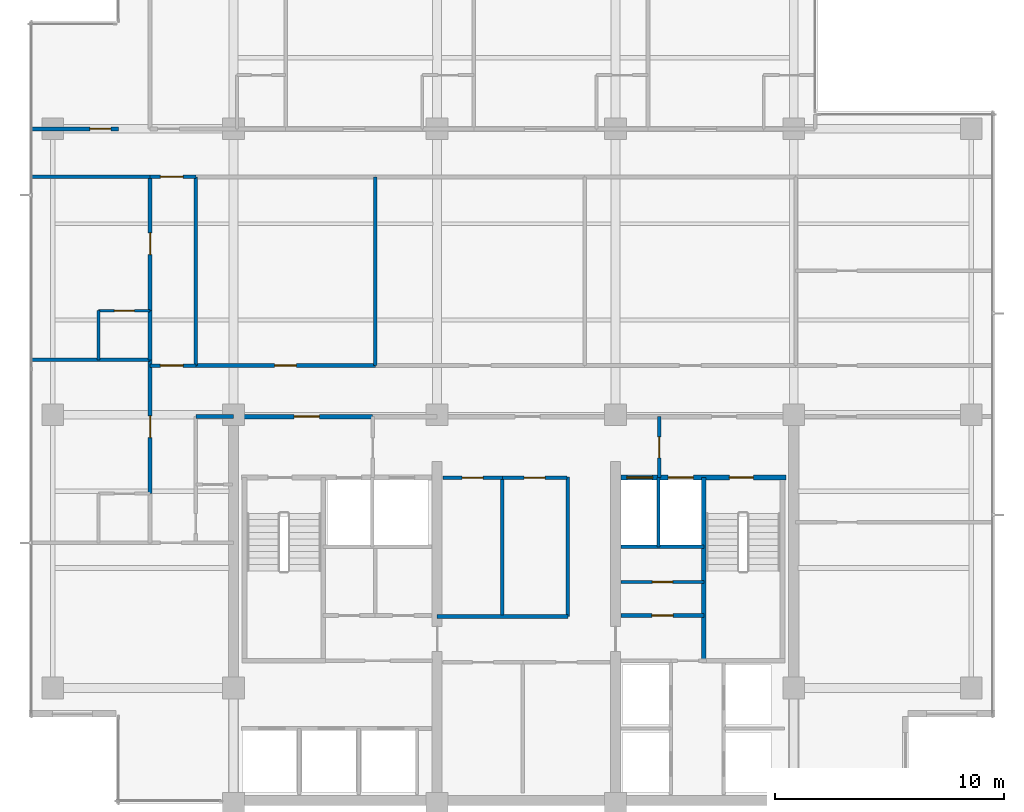
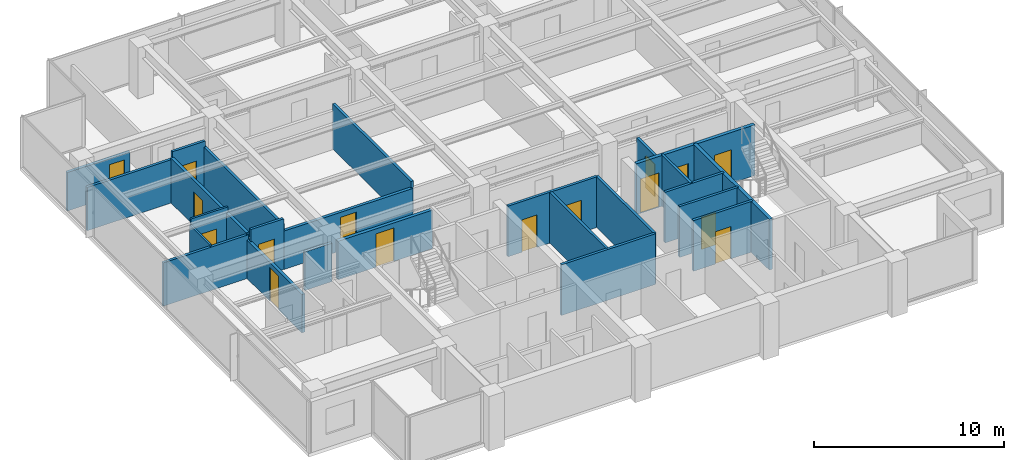
# One storey, part 8 of 15: 27 walls, 16 doors, 16 openings.
"""IFC4 building model written with IfcOpenShell, lengths in metres."""

from ifc_helpers import new_model, si_unit, direction, frame, frame_2d, origin, place, context, subcontext, project, spatial, rectangle, extrude, material, layer, layer_set, type_object, element, fill, save


model = new_model("IFC4")

# Units and contexts
model_context = context("Model", 3, precision=1e-05, world=origin(), true_north=direction((0.0, 1.0)))
body_context = subcontext(model_context, "Body", "Model", "MODEL_VIEW")
ifc_project = project(units=[si_unit("LENGTHUNIT", "METRE"), si_unit("AREAUNIT", "SQUARE_METRE"), si_unit("VOLUMEUNIT", "CUBIC_METRE"), si_unit("PLANEANGLEUNIT", "RADIAN"), si_unit("MASSUNIT", "GRAM", prefix="KILO")], contexts=[model_context])

# Site, building, storey
site_placement = place(None, origin())
site = spatial("IfcSite", under=ifc_project, at=site_placement, CompositionType="ELEMENT")
building_placement = place(site_placement, origin())
building = spatial("IfcBuilding", under=site, at=building_placement, Name="Qalmaran Belvedere Hotel", CompositionType="ELEMENT")
storey_placement = place(building_placement, frame((0.0, 0.0, 214.39990234375)))
storey = spatial("IfcBuildingStorey", under=building, at=storey_placement, Name="L54", CompositionType="ELEMENT", Elevation=214.39990234375)

# Wall, opening, door
ifc_material_1 = material(Name="Moisture-Resistant Gypsum")
ifc_layer_1 = layer(ifc_material_1, 0.1201171875, Name="Moisture-Resistant Gypsum")
ifc_layer_set_1 = layer_set([ifc_layer_1], Name="Moisture-Resistant Gypsum")
wall_type_1 = type_object("IfcWallType", Name="WL-INT-120-BATH", PredefinedType="PARTITIONING", material=ifc_layer_set_1)
wall_1_placement = place(storey_placement, frame((14.39990234375, 25.050048828125, 0.0), z_axis=(0.0, 0.0, 1.0), x_axis=(1.0, 0.0, 0.0)))
wall_1 = element("IfcWall", 1, at=wall_1_placement, inside=storey, type_object=wall_type_1, Name="L54 Partition WL-L54-WBN01", PredefinedType="PARTITIONING", context=body_context, shape_type="SweptSolid", body=[
    extrude(rectangle(XDim=2.25, YDim=0.1201171875, at=frame_2d((1.125, 0.0))), origin(), (0.0, 0.0, 1.0), 3.260009765625),
])
opening_1_placement = place(wall_1_placement, frame((1.56494140625, 0.0, 0.0), z_axis=(0.0, 0.0, 1.0), x_axis=(-1.0, 0.0, 0.0)))
opening_1 = element("IfcOpeningElement", 2, at=opening_1_placement, cuts=wall_1, Name="Opening D-BATH", PredefinedType="OPENING", context=body_context, shape_type="SweptSolid", body=[
    extrude(rectangle(XDim=0.8798828125, YDim=2.080078125, at=frame_2d((0.43994140625, 1.0400390625))), frame((0.0, 0.070068359375, 0.0), z_axis=(0.0, -1.0, 0.0), x_axis=(1.0, 0.0, 0.0)), (0.0, 0.0, 1.0), 0.14013671875),
])
ifc_material_2 = material(Name="Engineered Oak Veneer")
door_type_1 = type_object("IfcDoorType", Name="DR-INT-BATH-880X2080", OperationType="NOTDEFINED", PredefinedType="DOOR", material=ifc_material_2)
door_1_placement = place(opening_1_placement, origin())
door_1 = element("IfcDoor", 3, at=door_1_placement, inside=storey, type_object=door_type_1, Name="L54 W Ensuite Door 02", OperationType="SINGLE_SWING_RIGHT", OverallHeight=2.080078125, OverallWidth=0.8798828125, PredefinedType="DOOR", context=body_context, shape_type="SweptSolid", body=[
    extrude(rectangle(XDim=0.8798828125, YDim=2.080078125, at=frame_2d((0.43994140625, 1.0400390625))), frame((0.0, 0.02490234375, 0.0), z_axis=(0.0, -1.0, 0.0), x_axis=(1.0, 0.0, 0.0)), (0.0, 0.0, 1.0), 0.050048828125),
])
fill(opening_1, door_1)

# Walls
wall_2_placement = place(storey_placement, frame((14.39990234375, 22.89990234375, 0.0), z_axis=(0.0, 0.0, 1.0), x_axis=(0.0, 1.0, 0.0)))
element("IfcWall", 4, at=wall_2_placement, inside=storey, type_object=wall_type_1, Name="L54 Partition WL-L54-WBS01", PredefinedType="PARTITIONING", context=body_context, shape_type="SweptSolid", body=[
    extrude(rectangle(XDim=2.150146484375, YDim=0.1201171875, at=frame_2d((1.0751953125, 0.0))), origin(), (0.0, 0.0, 1.0), 2.88720703125),
])
ifc_material_3 = material(Name="Gypsum Stud Partition")
ifc_layer_2 = layer(ifc_material_3, 0.14990234375, Name="Gypsum Stud Partition")
ifc_layer_set_2 = layer_set([ifc_layer_2], Name="Gypsum Stud Partition")
wall_type_2 = type_object("IfcWallType", Name="WL-INT-150-EI120", PredefinedType="PARTITIONING", material=ifc_layer_set_2)
wall_3_placement = place(storey_placement, frame((38.8798828125, 14.719970703125, 0.0), z_axis=(0.0, 0.0, 1.0), x_axis=(0.0, 1.0, 0.0)))
element("IfcWall", 5, at=wall_3_placement, inside=storey, type_object=wall_type_2, Name="L54 Partition WL-FF2M-L54", PredefinedType="PARTITIONING", context=body_context, shape_type="SweptSolid", body=[
    extrude(rectangle(XDim=3.0400390625, YDim=0.14990234375, at=frame_2d((1.52001953125, 0.0))), origin(), (0.0, 0.0, 1.0), 3.260009765625),
])

# Wall, opening, door
ifc_layer_3 = layer(ifc_material_3, 0.14990234375, Name="Gypsum Stud Partition")
ifc_layer_set_3 = layer_set([ifc_layer_3], Name="Gypsum Stud Partition")
wall_type_3 = type_object("IfcWallType", Name="WL-INT-150-EI60", PredefinedType="PARTITIONING", material=ifc_layer_set_3)
wall_4_placement = place(storey_placement, frame((37.25, 13.18505859375, 0.0), z_axis=(0.0, 0.0, 1.0), x_axis=(1.0, 0.0, 0.0)))
wall_4 = element("IfcWall", 6, at=wall_4_placement, inside=storey, type_object=wall_type_3, Name="L54 Partition WL-L54-KEHM", PredefinedType="PARTITIONING", context=body_context, shape_type="SweptSolid", body=[
    extrude(rectangle(XDim=3.610107421875, YDim=0.14990234375, at=frame_2d((1.80517578125, 0.0))), origin(), (0.0, 0.0, 1.0), 3.260009765625),
])
opening_2_placement = place(wall_4_placement, frame((1.364990234375, 0.0, 0.0)))
opening_2 = element("IfcOpeningElement", 7, at=opening_2_placement, cuts=wall_4, Name="Opening FD60B", PredefinedType="OPENING", context=body_context, shape_type="SweptSolid", body=[
    extrude(rectangle(XDim=0.8798828125, YDim=2.080078125, at=frame_2d((0.43994140625, 1.0400390625))), frame((0.0, 0.0849609375, 0.0), z_axis=(0.0, -1.0, 0.0), x_axis=(1.0, 0.0, 0.0)), (0.0, 0.0, 1.0), 0.169921875),
])
ifc_material_4 = material(Name="Steel S355JR", Category="steel")
door_type_2 = type_object("IfcDoorType", Name="DR-FD60B-880X2080", OperationType="NOTDEFINED", PredefinedType="DOOR", material=ifc_material_4)
door_2_placement = place(opening_2_placement, origin())
door_2 = element("IfcDoor", 8, at=door_2_placement, inside=storey, type_object=door_type_2, Name="L54 Hotel Linen Closet Door", OperationType="SINGLE_SWING_RIGHT", OverallHeight=2.080078125, OverallWidth=0.8798828125, PredefinedType="DOOR", context=body_context, shape_type="SweptSolid", body=[
    extrude(rectangle(XDim=0.8798828125, YDim=2.080078125, at=frame_2d((0.43994140625, 1.0400390625))), frame((0.0, 0.02490234375, 0.0), z_axis=(0.0, -1.0, 0.0), x_axis=(1.0, 0.0, 0.0)), (0.0, 0.0, 1.0), 0.050048828125),
])
fill(opening_2, door_2)

# Wall
wall_5_placement = place(storey_placement, frame((32.056396484375, 11.739990234375, 0.0), z_axis=(0.0, 0.0, 1.0), x_axis=(0.0, 1.0, 0.0)))
element("IfcWall", 9, at=wall_5_placement, inside=storey, type_object=wall_type_3, Name="L54 Partition WL-L54-KPMV1", PredefinedType="PARTITIONING", context=body_context, shape_type="SweptSolid", body=[
    extrude(rectangle(XDim=6.010009765625, YDim=0.14990234375, at=frame_2d((3.0048828125, 0.0))), origin(), (0.0, 0.0, 1.0), 3.260009765625),
])

# Wall, opening, door
wall_6_placement = place(storey_placement, frame((16.64990234375, 22.64990234375, 0.0), z_axis=(0.0, 0.0, 1.0), x_axis=(1.0, 0.0, 0.0)))
wall_6 = element("IfcWall", 10, at=wall_6_placement, inside=storey, type_object=wall_type_3, Name="L54 Partition WL-L54-XCW1", PredefinedType="PARTITIONING", context=body_context, shape_type="SweptSolid", body=[
    extrude(rectangle(XDim=2.0, YDim=0.14990234375, at=frame_2d((1.0, 0.0))), origin(), (0.0, 0.0, 1.0), 3.260009765625),
])
opening_3_placement = place(wall_6_placement, frame((0.449951171875, 0.0, 0.0)))
opening_3 = element("IfcOpeningElement", 11, at=opening_3_placement, cuts=wall_6, Name="Opening FD90B", PredefinedType="OPENING", context=body_context, shape_type="SweptSolid", body=[
    extrude(rectangle(XDim=1.0, YDim=2.14990234375, at=frame_2d((0.5, 1.074951171875))), frame((0.0, 0.0849609375, 0.0), z_axis=(0.0, -1.0, 0.0), x_axis=(1.0, 0.0, 0.0)), (0.0, 0.0, 1.0), 0.169921875),
])
door_type_3 = type_object("IfcDoorType", Name="DR-FD90B-1000X2150", OperationType="NOTDEFINED", PredefinedType="DOOR", material=ifc_material_4)
door_3_placement = place(opening_3_placement, origin())
door_3 = element("IfcDoor", 12, at=door_3_placement, inside=storey, type_object=door_type_3, Name="L54 West Corridor Smoke Door S", OperationType="SINGLE_SWING_LEFT", OverallHeight=2.14990234375, OverallWidth=1.0, PredefinedType="DOOR", context=body_context, shape_type="SweptSolid", body=[
    extrude(rectangle(XDim=1.0, YDim=2.14990234375, at=frame_2d((0.5, 1.074951171875))), frame((0.0, 0.02490234375, 0.0), z_axis=(0.0, -1.0, 0.0), x_axis=(1.0, 0.0, 0.0)), (0.0, 0.0, 1.0), 0.050048828125),
])
fill(opening_3, door_3)

wall_7_placement = place(storey_placement, frame((16.64990234375, 30.89990234375, 0.0), z_axis=(0.0, 0.0, 1.0), x_axis=(1.0, 0.0, 0.0)))
wall_7 = element("IfcWall", 13, at=wall_7_placement, inside=storey, type_object=wall_type_3, Name="L54 Partition WL-L54-XCW2", PredefinedType="PARTITIONING", context=body_context, shape_type="SweptSolid", body=[
    extrude(rectangle(XDim=2.0, YDim=0.14990234375, at=frame_2d((1.0, 0.0))), origin(), (0.0, 0.0, 1.0), 3.260009765625),
])
opening_4_placement = place(wall_7_placement, frame((0.449951171875, 0.0, 0.0)))
opening_4 = element("IfcOpeningElement", 14, at=opening_4_placement, cuts=wall_7, Name="Opening FD90B", PredefinedType="OPENING", context=body_context, shape_type="SweptSolid", body=[
    extrude(rectangle(XDim=1.0, YDim=2.14990234375, at=frame_2d((0.5, 1.074951171875))), frame((0.0, 0.0849609375, 0.0), z_axis=(0.0, -1.0, 0.0), x_axis=(1.0, 0.0, 0.0)), (0.0, 0.0, 1.0), 0.169921875),
])
door_4_placement = place(opening_4_placement, origin())
door_4 = element("IfcDoor", 15, at=door_4_placement, inside=storey, type_object=door_type_3, Name="L54 West Corridor Smoke Door N", OperationType="SINGLE_SWING_RIGHT", OverallHeight=2.14990234375, OverallWidth=1.0, PredefinedType="DOOR", context=body_context, shape_type="SweptSolid", body=[
    extrude(rectangle(XDim=1.0, YDim=2.14990234375, at=frame_2d((0.5, 1.074951171875))), frame((0.0, 0.02490234375, 0.0), z_axis=(0.0, -1.0, 0.0), x_axis=(1.0, 0.0, 0.0)), (0.0, 0.0, 1.0), 0.050048828125),
])
fill(opening_4, door_4)

ifc_layer_4 = layer(ifc_material_3, 0.159912109375, Name="Gypsum Stud Partition")
ifc_layer_set_4 = layer_set([ifc_layer_4], Name="Gypsum Stud Partition")
wall_type_4 = type_object("IfcWallType", Name="WL-INT-160-EI120", PredefinedType="PARTITIONING", material=ifc_layer_set_4)
wall_8_placement = place(storey_placement, frame((38.919921875, 17.760009765625, 0.0), z_axis=(0.0, 0.0, 1.0), x_axis=(0.0, 1.0, 0.0)))
wall_8 = element("IfcWall", 16, at=wall_8_placement, inside=storey, type_object=wall_type_4, Name="L54 Partition WL-FFSV2-L54", PredefinedType="PARTITIONING", context=body_context, shape_type="SweptSolid", body=[
    extrude(rectangle(XDim=2.659912109375, YDim=0.159912109375, at=frame_2d((1.330078125, 0.0))), origin(), (0.0, 0.0, 1.0), 2.7060546875),
])
opening_5_placement = place(wall_8_placement, frame((1.77001953125, 0.0, 0.0), z_axis=(0.0, 0.0, 1.0), x_axis=(-1.0, 0.0, 0.0)))
opening_5 = element("IfcOpeningElement", 17, at=opening_5_placement, cuts=wall_8, Name="Opening FD60S1", PredefinedType="OPENING", context=body_context, shape_type="SweptSolid", body=[
    extrude(rectangle(XDim=0.919921875, YDim=2.080078125, at=frame_2d((0.4599609375, 1.0400390625))), frame((0.0, 0.08984375, 0.0), z_axis=(0.0, -1.0, 0.0), x_axis=(1.0, 0.0, 0.0)), (0.0, 0.0, 1.0), 0.179931640625),
])
door_type_4 = type_object("IfcDoorType", Name="DR-FD60S-920X2080", OperationType="NOTDEFINED", PredefinedType="DOOR", material=ifc_material_2)
door_5_placement = place(opening_5_placement, origin())
door_5 = element("IfcDoor", 18, at=door_5_placement, inside=storey, type_object=door_type_4, Name="L54 Service Lobby East Door", OperationType="SINGLE_SWING_LEFT", OverallHeight=2.080078125, OverallWidth=0.919921875, PredefinedType="DOOR", context=body_context, shape_type="SweptSolid", body=[
    extrude(rectangle(XDim=0.919921875, YDim=2.080078125, at=frame_2d((0.4599609375, 1.0400390625))), frame((0.0, 0.02490234375, 0.0), z_axis=(0.0, -1.0, 0.0), x_axis=(1.0, 0.0, 0.0)), (0.0, 0.0, 1.0), 0.050048828125),
])
fill(opening_5, door_5)

# Wall
wall_9_placement = place(storey_placement, frame((37.25, 14.719970703125, 0.0), z_axis=(0.0, 0.0, 1.0), x_axis=(1.0, 0.0, 0.0)))
element("IfcWall", 19, at=wall_9_placement, inside=storey, type_object=wall_type_4, Name="L54 Partition WL-FF2S-L54", PredefinedType="PARTITIONING", context=body_context, shape_type="SweptSolid", body=[
    extrude(rectangle(XDim=3.610107421875, YDim=0.159912109375, at=frame_2d((1.80517578125, 0.0))), origin(), (0.0, 0.0, 1.0), 3.260009765625),
])

# Wall, opening, door
ifc_layer_5 = layer(ifc_material_3, 0.159912109375, Name="Gypsum Stud Partition")
ifc_layer_set_5 = layer_set([ifc_layer_5], Name="Gypsum Stud Partition")
wall_type_5 = type_object("IfcWallType", Name="WL-INT-160-EI60", PredefinedType="PARTITIONING", material=ifc_layer_set_5)
wall_10_placement = place(storey_placement, frame((37.25, 11.719970703125, 0.0), z_axis=(0.0, 0.0, 1.0), x_axis=(1.0, 0.0, 0.0)))
wall_10 = element("IfcWall", 20, at=wall_10_placement, inside=storey, type_object=wall_type_5, Name="L54 Partition WL-L54-KEE1", PredefinedType="PARTITIONING", context=body_context, shape_type="SweptSolid", body=[
    extrude(rectangle(XDim=3.610107421875, YDim=0.159912109375, at=frame_2d((1.80517578125, 0.0))), origin(), (0.0, 0.0, 1.0), 3.260009765625),
])
opening_6_placement = place(wall_10_placement, frame((1.344970703125, 0.0, 0.0)))
opening_6 = element("IfcOpeningElement", 21, at=opening_6_placement, cuts=wall_10, Name="Opening FD60S1", PredefinedType="OPENING", context=body_context, shape_type="SweptSolid", body=[
    extrude(rectangle(XDim=0.919921875, YDim=2.080078125, at=frame_2d((0.4599609375, 1.0400390625))), frame((0.0, 0.08984375, 0.0), z_axis=(0.0, -1.0, 0.0), x_axis=(1.0, 0.0, 0.0)), (0.0, 0.0, 1.0), 0.179931640625),
])
door_6_placement = place(opening_6_placement, origin())
door_6 = element("IfcDoor", 22, at=door_6_placement, inside=storey, type_object=door_type_4, Name="L54 Low Voltage Switch Room Door", OperationType="SINGLE_SWING_LEFT", OverallHeight=2.080078125, OverallWidth=0.919921875, PredefinedType="DOOR", context=body_context, shape_type="SweptSolid", body=[
    extrude(rectangle(XDim=0.919921875, YDim=2.080078125, at=frame_2d((0.4599609375, 1.0400390625))), frame((0.0, 0.02490234375, 0.0), z_axis=(0.0, -1.0, 0.0), x_axis=(1.0, 0.0, 0.0)), (0.0, 0.0, 1.0), 0.050048828125),
])
fill(opening_6, door_6)

# Walls
wall_11_placement = place(storey_placement, frame((34.919921875, 11.679931640625, 0.0), z_axis=(0.0, 0.0, 1.0), x_axis=(0.0, 1.0, 0.0)))
element("IfcWall", 23, at=wall_11_placement, inside=storey, type_object=wall_type_5, Name="L54 Partition WL-CLLV-L54", PredefinedType="PARTITIONING", context=body_context, shape_type="SweptSolid", body=[
    extrude(rectangle(XDim=6.10009765625, YDim=0.159912109375, at=frame_2d((3.050048828125, 0.0))), origin(), (0.0, 0.0, 1.0), 3.260009765625),
])
wall_12_placement = place(storey_placement, frame((29.199951171875, 11.679931640625, 0.0), z_axis=(0.0, 0.0, 1.0), x_axis=(1.0, 0.0, 0.0)))
element("IfcWall", 24, at=wall_12_placement, inside=storey, type_object=wall_type_5, Name="L54 Partition WL-PMFS-L54", PredefinedType="PARTITIONING", context=body_context, shape_type="SweptSolid", body=[
    extrude(rectangle(XDim=5.719970703125, YDim=0.159912109375, at=frame_2d((2.85986328125, 0.0))), origin(), (0.0, 0.0, 1.0), 3.260009765625),
])

# Wall, opening, door
wall_13_placement = place(storey_placement, frame((29.449951171875, 17.75, 0.0), z_axis=(0.0, 0.0, 1.0), x_axis=(1.0, 0.0, 0.0)))
wall_13 = element("IfcWall", 25, at=wall_13_placement, inside=storey, type_object=wall_type_5, Name="L54 Partition WL-L54-KPME1", PredefinedType="PARTITIONING", context=body_context, shape_type="SweptSolid", body=[
    extrude(rectangle(XDim=2.6064453125, YDim=0.159912109375, at=frame_2d((1.30322265625, 0.0))), origin(), (0.0, 0.0, 1.0), 3.260009765625),
])
opening_7_placement = place(wall_13_placement, frame((1.76318359375, 0.0, 0.0), z_axis=(0.0, 0.0, 1.0), x_axis=(-1.0, 0.0, 0.0)))
opening_7 = element("IfcOpeningElement", 26, at=opening_7_placement, cuts=wall_13, Name="Opening FD60S1", PredefinedType="OPENING", context=body_context, shape_type="SweptSolid", body=[
    extrude(rectangle(XDim=0.919921875, YDim=2.080078125, at=frame_2d((0.4599609375, 1.0400390625))), frame((0.0, 0.08984375, 0.0), z_axis=(0.0, -1.0, 0.0), x_axis=(1.0, 0.0, 0.0)), (0.0, 0.0, 1.0), 0.179931640625),
])
door_7_placement = place(opening_7_placement, origin())
door_7 = element("IfcDoor", 27, at=door_7_placement, inside=storey, type_object=door_type_4, Name="L54 Floor Linen Supply Store Door", OperationType="SINGLE_SWING_LEFT", OverallHeight=2.080078125, OverallWidth=0.919921875, PredefinedType="DOOR", context=body_context, shape_type="SweptSolid", body=[
    extrude(rectangle(XDim=0.919921875, YDim=2.080078125, at=frame_2d((0.4599609375, 1.0400390625))), frame((0.0, 0.02490234375, 0.0), z_axis=(0.0, -1.0, 0.0), x_axis=(1.0, 0.0, 0.0)), (0.0, 0.0, 1.0), 0.050048828125),
])
fill(opening_7, door_7)

wall_14_placement = place(storey_placement, frame((32.056396484375, 17.75, 0.0), z_axis=(0.0, 0.0, 1.0), x_axis=(1.0, 0.0, 0.0)))
wall_14 = element("IfcWall", 28, at=wall_14_placement, inside=storey, type_object=wall_type_5, Name="L54 Partition WL-L54-KPME2", PredefinedType="PARTITIONING", context=body_context, shape_type="SweptSolid", body=[
    extrude(rectangle(XDim=2.823486328125, YDim=0.159912109375, at=frame_2d((1.41162109375, 0.0))), origin(), (0.0, 0.0, 1.0), 3.260009765625),
])
opening_8_placement = place(wall_14_placement, frame((1.871826171875, 0.0, 0.0), z_axis=(0.0, 0.0, 1.0), x_axis=(-1.0, 0.0, 0.0)))
opening_8 = element("IfcOpeningElement", 29, at=opening_8_placement, cuts=wall_14, Name="Opening FD60S1", PredefinedType="OPENING", context=body_context, shape_type="SweptSolid", body=[
    extrude(rectangle(XDim=0.919921875, YDim=2.080078125, at=frame_2d((0.4599609375, 1.0400390625))), frame((0.0, 0.08984375, 0.0), z_axis=(0.0, -1.0, 0.0), x_axis=(1.0, 0.0, 0.0)), (0.0, 0.0, 1.0), 0.179931640625),
])
door_8_placement = place(opening_8_placement, origin())
door_8 = element("IfcDoor", 30, at=door_8_placement, inside=storey, type_object=door_type_4, Name="L54 Core Tableware Store Door", OperationType="SINGLE_SWING_RIGHT", OverallHeight=2.080078125, OverallWidth=0.919921875, PredefinedType="DOOR", context=body_context, shape_type="SweptSolid", body=[
    extrude(rectangle(XDim=0.919921875, YDim=2.080078125, at=frame_2d((0.4599609375, 1.0400390625))), frame((0.0, 0.02490234375, 0.0), z_axis=(0.0, -1.0, 0.0), x_axis=(1.0, 0.0, 0.0)), (0.0, 0.0, 1.0), 0.050048828125),
])
fill(opening_8, door_8)

# Walls
wall_15_placement = place(storey_placement, frame((18.64990234375, 20.419921875, 0.0), z_axis=(0.0, 0.0, 1.0), x_axis=(1.0, 0.0, 0.0)))
element("IfcWall", 31, at=wall_15_placement, inside=storey, type_object=wall_type_5, Name="L54 Partition WL-L54-WCLN", PredefinedType="PARTITIONING", context=body_context, shape_type="SweptSolid", body=[
    extrude(rectangle(XDim=1.650146484375, YDim=0.159912109375, at=frame_2d((0.8251953125, 0.0))), origin(), (0.0, 0.0, 1.0), 2.47216796875),
])
for number, where, z_axis, x_axis, name in (
    (32, (18.64990234375, 22.64990234375, 0.0), (0.0, 0.0, 1.0), (0.0, 1.0, 0.0), "L54 Partition WL-L54-MIDVL"),
    (33, (26.5, 22.64990234375, 0.0), (0.0, 0.0, 1.0), (0.0, 1.0, 0.0), "L54 Partition WL-L54-MIDVR1"),
):
    element("IfcWall", number, at=place(storey_placement, frame(where, z_axis=z_axis, x_axis=x_axis)), inside=storey, type_object=wall_type_5, Name=name, PredefinedType="PARTITIONING", context=body_context, shape_type="SweptSolid", body=[
        extrude(rectangle(XDim=8.25, YDim=0.159912109375, at=frame_2d((4.125, 0.0))), origin(), (0.0, 0.0, 1.0), 2.88720703125),
    ])
for number, where, z_axis, x_axis, name in (
    (34, (11.469970703125, 22.89990234375, 0.0), (0.0, 0.0, 1.0), (1.0, 0.0, 0.0), "L54 Partition WL-L54-WU00"),
    (35, (11.469970703125, 30.89990234375, 0.0), (0.0, 0.0, 1.0), (1.0, 0.0, 0.0), "L54 Partition WL-L54-WU01"),
):
    element("IfcWall", number, at=place(storey_placement, frame(where, z_axis=z_axis, x_axis=x_axis)), inside=storey, type_object=wall_type_5, Name=name, PredefinedType="PARTITIONING", context=body_context, shape_type="SweptSolid", body=[
        extrude(rectangle(XDim=5.179931640625, YDim=0.159912109375, at=frame_2d((2.58984375, 0.0))), origin(), (0.0, 0.0, 1.0), 2.781982421875),
    ])

# Wall, opening, door
ifc_layer_6 = layer(ifc_material_3, 0.179931640625, Name="Gypsum Stud Partition")
ifc_layer_set_6 = layer_set([ifc_layer_6], Name="Gypsum Stud Partition")
wall_type_6 = type_object("IfcWallType", Name="WL-INT-180-EI60", PredefinedType="PARTITIONING", material=ifc_layer_set_6)
wall_16_placement = place(storey_placement, frame((18.64990234375, 22.64990234375, 0.0), z_axis=(0.0, 0.0, 1.0), x_axis=(1.0, 0.0, 0.0)))
wall_16 = element("IfcWall", 36, at=wall_16_placement, inside=storey, type_object=wall_type_6, Name="L54 Partition WL-L54-MIDD1", PredefinedType="PARTITIONING", context=body_context, shape_type="SweptSolid", body=[
    extrude(rectangle(XDim=7.85009765625, YDim=0.179931640625, at=frame_2d((3.925048828125, 0.0))), origin(), (0.0, 0.0, 1.0), 2.47216796875),
])
opening_9_placement = place(wall_16_placement, frame((3.449951171875, 0.0, 0.0)))
opening_9 = element("IfcOpeningElement", 37, at=opening_9_placement, cuts=wall_16, Name="Opening FD60", PredefinedType="OPENING", context=body_context, shape_type="SweptSolid", body=[
    extrude(rectangle(XDim=0.949951171875, YDim=2.14990234375, at=frame_2d((0.47509765625, 1.074951171875))), frame((0.0, 0.10009765625, 0.0), z_axis=(0.0, -1.0, 0.0), x_axis=(1.0, 0.0, 0.0)), (0.0, 0.0, 1.0), 0.199951171875),
])
door_type_5 = type_object("IfcDoorType", Name="DR-FD60-950X2150", OperationType="NOTDEFINED", PredefinedType="DOOR", material=ifc_material_2)
door_9_placement = place(opening_9_placement, origin())
door_9 = element("IfcDoor", 38, at=door_9_placement, inside=storey, type_object=door_type_5, Name="L54 Housekeeping and Linen Room Door", OperationType="SINGLE_SWING_LEFT", OverallHeight=2.14990234375, OverallWidth=0.949951171875, PredefinedType="DOOR", context=body_context, shape_type="SweptSolid", body=[
    extrude(rectangle(XDim=0.949951171875, YDim=2.14990234375, at=frame_2d((0.47509765625, 1.074951171875))), frame((0.0, 0.02490234375, 0.0), z_axis=(0.0, -1.0, 0.0), x_axis=(1.0, 0.0, 0.0)), (0.0, 0.0, 1.0), 0.050048828125),
])
fill(opening_9, door_9)

wall_17_placement = place(storey_placement, frame((16.64990234375, 17.050048828125, 0.0), z_axis=(0.0, 0.0, 1.0), x_axis=(0.0, 1.0, 0.0)))
wall_17 = element("IfcWall", 39, at=wall_17_placement, inside=storey, type_object=wall_type_6, Name="L54 Partition WL-L54-WEC00", PredefinedType="PARTITIONING", context=body_context, shape_type="SweptSolid", body=[
    extrude(rectangle(XDim=5.849853515625, YDim=0.179931640625, at=frame_2d((2.9248046875, 0.0))), origin(), (0.0, 0.0, 1.0), 2.47216796875),
])
opening_10_placement = place(wall_17_placement, frame((2.449951171875, 0.0, 0.0)))
opening_10 = element("IfcOpeningElement", 40, at=opening_10_placement, cuts=wall_17, Name="Opening FD60", PredefinedType="OPENING", context=body_context, shape_type="SweptSolid", body=[
    extrude(rectangle(XDim=0.949951171875, YDim=2.14990234375, at=frame_2d((0.47509765625, 1.074951171875))), frame((0.0, 0.10009765625, 0.0), z_axis=(0.0, -1.0, 0.0), x_axis=(1.0, 0.0, 0.0)), (0.0, 0.0, 1.0), 0.199951171875),
])
door_10_placement = place(opening_10_placement, origin())
door_10 = element("IfcDoor", 41, at=door_10_placement, inside=storey, type_object=door_type_5, Name="L54 W Wing Door 01", OperationType="SINGLE_SWING_LEFT", OverallHeight=2.14990234375, OverallWidth=0.949951171875, PredefinedType="DOOR", context=body_context, shape_type="SweptSolid", body=[
    extrude(rectangle(XDim=0.949951171875, YDim=2.14990234375, at=frame_2d((0.47509765625, 1.074951171875))), frame((0.0, 0.02490234375, 0.0), z_axis=(0.0, -1.0, 0.0), x_axis=(1.0, 0.0, 0.0)), (0.0, 0.0, 1.0), 0.050048828125),
])
fill(opening_10, door_10)

# Wall
wall_18_placement = place(storey_placement, frame((16.64990234375, 22.89990234375, 0.0), z_axis=(0.0, 0.0, 1.0), x_axis=(0.0, 1.0, 0.0)))
element("IfcWall", 42, at=wall_18_placement, inside=storey, type_object=wall_type_6, Name="L54 Partition WL-L54-WBC01", PredefinedType="PARTITIONING", context=body_context, shape_type="SweptSolid", body=[
    extrude(rectangle(XDim=2.150146484375, YDim=0.179931640625, at=frame_2d((1.0751953125, 0.0))), origin(), (0.0, 0.0, 1.0), 2.88720703125),
])

# Wall, opening, door
wall_19_placement = place(storey_placement, frame((16.64990234375, 25.050048828125, 0.0), z_axis=(0.0, 0.0, 1.0), x_axis=(0.0, 1.0, 0.0)))
wall_19 = element("IfcWall", 43, at=wall_19_placement, inside=storey, type_object=wall_type_6, Name="L54 Partition WL-L54-WEC01", PredefinedType="PARTITIONING", context=body_context, shape_type="SweptSolid", body=[
    extrude(rectangle(XDim=5.849853515625, YDim=0.179931640625, at=frame_2d((2.9248046875, 0.0))), origin(), (0.0, 0.0, 1.0), 2.88720703125),
])
opening_11_placement = place(wall_19_placement, frame((2.449951171875, 0.0, 0.0)))
opening_11 = element("IfcOpeningElement", 44, at=opening_11_placement, cuts=wall_19, Name="Opening FD60", PredefinedType="OPENING", context=body_context, shape_type="SweptSolid", body=[
    extrude(rectangle(XDim=0.949951171875, YDim=2.14990234375, at=frame_2d((0.47509765625, 1.074951171875))), frame((0.0, 0.10009765625, 0.0), z_axis=(0.0, -1.0, 0.0), x_axis=(1.0, 0.0, 0.0)), (0.0, 0.0, 1.0), 0.199951171875),
])
door_11_placement = place(opening_11_placement, origin())
door_11 = element("IfcDoor", 45, at=door_11_placement, inside=storey, type_object=door_type_5, Name="L54 W Wing Door 02", OperationType="SINGLE_SWING_LEFT", OverallHeight=2.14990234375, OverallWidth=0.949951171875, PredefinedType="DOOR", context=body_context, shape_type="SweptSolid", body=[
    extrude(rectangle(XDim=0.949951171875, YDim=2.14990234375, at=frame_2d((0.47509765625, 1.074951171875))), frame((0.0, 0.02490234375, 0.0), z_axis=(0.0, -1.0, 0.0), x_axis=(1.0, 0.0, 0.0)), (0.0, 0.0, 1.0), 0.050048828125),
])
fill(opening_11, door_11)

wall_20_placement = place(storey_placement, frame((11.469970703125, 33.0, 0.0), z_axis=(0.0, 0.0, 1.0), x_axis=(1.0, 0.0, 0.0)))
wall_20 = element("IfcWall", 46, at=wall_20_placement, inside=storey, type_object=wall_type_6, Name="L54 Partition WL-L54-NWSD", PredefinedType="PARTITIONING", context=body_context, shape_type="SweptSolid", body=[
    extrude(rectangle(XDim=3.800048828125, YDim=0.179931640625, at=frame_2d((1.89990234375, 0.0))), origin(), (0.0, 0.0, 1.0), 2.47216796875),
])
opening_12_placement = place(wall_20_placement, frame((2.543701171875, 0.0, 0.0)))
opening_12 = element("IfcOpeningElement", 47, at=opening_12_placement, cuts=wall_20, Name="Opening FD60S1", PredefinedType="OPENING", context=body_context, shape_type="SweptSolid", body=[
    extrude(rectangle(XDim=0.919921875, YDim=2.080078125, at=frame_2d((0.4599609375, 1.0400390625))), frame((0.0, 0.10009765625, 0.0), z_axis=(0.0, -1.0, 0.0), x_axis=(1.0, 0.0, 0.0)), (0.0, 0.0, 1.0), 0.199951171875),
])
door_12_placement = place(opening_12_placement, origin())
door_12 = element("IfcDoor", 48, at=door_12_placement, inside=storey, type_object=door_type_4, Name="L54 NW Belvedere Study Door", OperationType="SINGLE_SWING_RIGHT", OverallHeight=2.080078125, OverallWidth=0.919921875, PredefinedType="DOOR", context=body_context, shape_type="SweptSolid", body=[
    extrude(rectangle(XDim=0.919921875, YDim=2.080078125, at=frame_2d((0.4599609375, 1.0400390625))), frame((0.0, 0.02490234375, 0.0), z_axis=(0.0, -1.0, 0.0), x_axis=(1.0, 0.0, 0.0)), (0.0, 0.0, 1.0), 0.050048828125),
])
fill(opening_12, door_12)

ifc_material_5 = material(Name="Concrete C30/37 Blockwork", Category="masonry")
ifc_layer_7 = layer(ifc_material_5, 0.199951171875, Name="Concrete C30/37 Blockwork")
ifc_layer_set_7 = layer_set([ifc_layer_7], Name="Concrete C30/37 Blockwork")
wall_type_7 = type_object("IfcWallType", Name="WL-INT-200-EI120", PredefinedType="PARTITIONING", material=ifc_layer_set_7)
wall_21_placement = place(storey_placement, frame((20.64990234375, 20.419921875, 0.0), z_axis=(0.0, 0.0, 1.0), x_axis=(1.0, 0.0, 0.0)))
wall_21 = element("IfcWall", 49, at=wall_21_placement, inside=storey, type_object=wall_type_7, Name="L54 Partition WL-CN1A-L54", PredefinedType="PARTITIONING", context=body_context, shape_type="SweptSolid", body=[
    extrude(rectangle(XDim=5.72998046875, YDim=0.199951171875, at=frame_2d((2.864990234375, 0.0))), origin(), (0.0, 0.0, 1.0), 2.47216796875),
])
opening_13_placement = place(wall_21_placement, frame((2.300048828125, 0.0, 0.0)))
opening_13 = element("IfcOpeningElement", 50, at=opening_13_placement, cuts=wall_21, Name="Opening FD90", PredefinedType="OPENING", context=body_context, shape_type="SweptSolid", body=[
    extrude(rectangle(XDim=1.10009765625, YDim=2.14990234375, at=frame_2d((0.550048828125, 1.074951171875))), frame((0.0, 0.10986328125, 0.0), z_axis=(0.0, -1.0, 0.0), x_axis=(1.0, 0.0, 0.0)), (0.0, 0.0, 1.0), 0.219970703125),
])
door_type_6 = type_object("IfcDoorType", Name="DR-FD90-1100X2150", OperationType="NOTDEFINED", PredefinedType="DOOR", material=ifc_material_4)
door_13_placement = place(opening_13_placement, origin())
door_13 = element("IfcDoor", 51, at=door_13_placement, inside=storey, type_object=door_type_6, Name="L54 FF1 Lobby Corridor Door", OperationType="SINGLE_SWING_RIGHT", OverallHeight=2.14990234375, OverallWidth=1.10009765625, PredefinedType="DOOR", context=body_context, shape_type="SweptSolid", body=[
    extrude(rectangle(XDim=1.10009765625, YDim=2.14990234375, at=frame_2d((0.550048828125, 1.074951171875))), frame((0.0, 0.02490234375, 0.0), z_axis=(0.0, -1.0, 0.0), x_axis=(1.0, 0.0, 0.0)), (0.0, 0.0, 1.0), 0.050048828125),
])
fill(opening_13, door_13)

# Wall
ifc_material_6 = material(Name="Concrete C50/60", Category="concrete")
ifc_layer_8 = layer(ifc_material_6, 0.2099609375, Name="Concrete C50/60")
ifc_layer_set_8 = layer_set([ifc_layer_8], Name="Concrete C50/60")
wall_type_8 = type_object("IfcWallType", Name="WL-STAIR-210-C50", PredefinedType="SHEAR", material=ifc_layer_set_8)
wall_22_placement = place(storey_placement, frame((40.85498046875, 9.7451171875, 0.0), z_axis=(0.0, 0.0, 1.0), x_axis=(0.0, 1.0, 0.0)))
element("IfcWall", 52, at=wall_22_placement, inside=storey, type_object=wall_type_8, Name="L54 Stair ST-2 West Bearing Wall", PredefinedType="SHEAR", context=body_context, shape_type="SweptSolid", body=[
    extrude(rectangle(XDim=8.009765625, YDim=0.2099609375, at=frame_2d((4.0048828125, 0.0))), origin(), (0.0, 0.0, 1.0), 3.260009765625),
])

# Wall, openings, doors
wall_23_placement = place(storey_placement, frame((37.25, 17.7548828125, 0.0), z_axis=(0.0, 0.0, 1.0), x_axis=(1.0, 0.0, 0.0)))
wall_23 = element("IfcWall", 53, at=wall_23_placement, inside=storey, type_object=wall_type_8, Name="L54 East Lobby and Stair ST-2 North Bearing Wall", PredefinedType="SHEAR", context=body_context, shape_type="SweptSolid", body=[
    extrude(rectangle(XDim=7.199951171875, YDim=0.2099609375, at=frame_2d((3.60009765625, 0.0))), origin(), (0.0, 0.0, 1.0), 3.260009765625),
])
opening_14_placement = place(wall_23_placement, frame((0.25, 0.0, 0.0)))
opening_14 = element("IfcOpeningElement", 54, at=opening_14_placement, cuts=wall_23, Name="Opening LD-SV", PredefinedType="OPENING", context=body_context, shape_type="SweptSolid", body=[
    extrude(rectangle(XDim=1.1201171875, YDim=2.199951171875, at=frame_2d((0.56005859375, 1.10009765625))), frame((0.0, 0.114990234375, 0.0), z_axis=(0.0, -1.0, 0.0), x_axis=(1.0, 0.0, 0.0)), (0.0, 0.0, 1.0), 0.22998046875),
])
opening_15_placement = place(wall_23_placement, frame((2.050048828125, 0.0, 0.0)))
opening_15 = element("IfcOpeningElement", 55, at=opening_15_placement, cuts=wall_23, Name="Opening LD-FF", PredefinedType="OPENING", context=body_context, shape_type="SweptSolid", body=[
    extrude(rectangle(XDim=1.10009765625, YDim=2.179931640625, at=frame_2d((0.550048828125, 1.08984375))), frame((0.0, 0.114990234375, 0.0), z_axis=(0.0, -1.0, 0.0), x_axis=(1.0, 0.0, 0.0)), (0.0, 0.0, 1.0), 0.22998046875),
])
opening_16_placement = place(wall_23_placement, frame((5.780029296875, 0.0, 0.0), z_axis=(0.0, 0.0, 1.0), x_axis=(-1.0, 0.0, 0.0)))
opening_16 = element("IfcOpeningElement", 56, at=opening_16_placement, cuts=wall_23, Name="Opening FD90S2", PredefinedType="OPENING", context=body_context, shape_type="SweptSolid", body=[
    extrude(rectangle(XDim=1.050048828125, YDim=2.14990234375, at=frame_2d((0.52490234375, 1.074951171875))), frame((0.0, 0.114990234375, 0.0), z_axis=(0.0, -1.0, 0.0), x_axis=(1.0, 0.0, 0.0)), (0.0, 0.0, 1.0), 0.22998046875),
])
door_type_7 = type_object("IfcDoorType", Name="DR-FD90S-1050X2150", OperationType="NOTDEFINED", PredefinedType="DOOR", material=ifc_material_4)
door_14_placement = place(opening_16_placement, origin())
door_14 = element("IfcDoor", 57, at=door_14_placement, inside=storey, type_object=door_type_7, Name="L54 Stair ST-2 Door", OperationType="SINGLE_SWING_LEFT", OverallHeight=2.14990234375, OverallWidth=1.050048828125, PredefinedType="DOOR", context=body_context, shape_type="SweptSolid", body=[
    extrude(rectangle(XDim=1.050048828125, YDim=2.14990234375, at=frame_2d((0.52490234375, 1.074951171875))), frame((0.0, 0.02490234375, 0.0), z_axis=(0.0, -1.0, 0.0), x_axis=(1.0, 0.0, 0.0)), (0.0, 0.0, 1.0), 0.050048828125),
])
fill(opening_16, door_14)
ifc_material_7 = material(Name="Stainless Steel 1.4401", Category="steel")
door_type_8 = type_object("IfcDoorType", Name="DR-LIFT-FF-1100X2180", OperationType="DOUBLE_DOOR_SLIDING", PredefinedType="DOOR", material=ifc_material_7)
door_15_placement = place(opening_15_placement, origin())
door_15 = element("IfcDoor", 58, at=door_15_placement, inside=storey, type_object=door_type_8, Name="L54 FF2 Lift Landing Door", OperationType="DOUBLE_DOOR_SLIDING", OverallHeight=2.179931640625, OverallWidth=1.10009765625, PredefinedType="DOOR", context=body_context, shape_type="SweptSolid", body=[
    extrude(rectangle(XDim=1.10009765625, YDim=2.179931640625, at=frame_2d((0.550048828125, 1.08984375))), frame((0.0, 0.02490234375, 0.0), z_axis=(0.0, -1.0, 0.0), x_axis=(1.0, 0.0, 0.0)), (0.0, 0.0, 1.0), 0.050048828125),
])
fill(opening_15, door_15)
door_type_9 = type_object("IfcDoorType", Name="DR-LIFT-SV-1120X2200", OperationType="DOUBLE_DOOR_SLIDING", PredefinedType="DOOR", material=ifc_material_7)
door_16_placement = place(opening_14_placement, origin())
door_16 = element("IfcDoor", 59, at=door_16_placement, inside=storey, type_object=door_type_9, Name="L54 SV2 Lift Landing Door", OperationType="DOUBLE_DOOR_SLIDING", OverallHeight=2.199951171875, OverallWidth=1.1201171875, PredefinedType="DOOR", context=body_context, shape_type="SweptSolid", body=[
    extrude(rectangle(XDim=1.1201171875, YDim=2.199951171875, at=frame_2d((0.56005859375, 1.10009765625))), frame((0.0, 0.02490234375, 0.0), z_axis=(0.0, -1.0, 0.0), x_axis=(1.0, 0.0, 0.0)), (0.0, 0.0, 1.0), 0.050048828125),
])
fill(opening_14, door_16)

save(model, "model.ifc")
